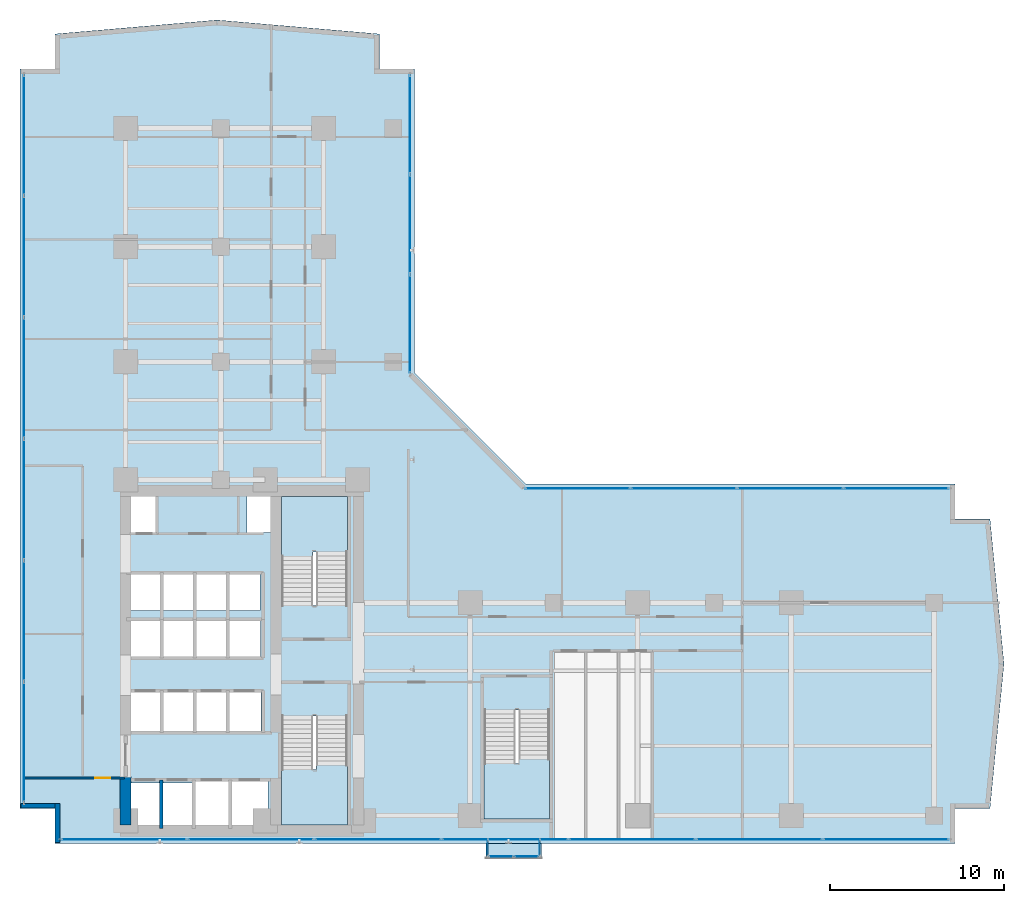
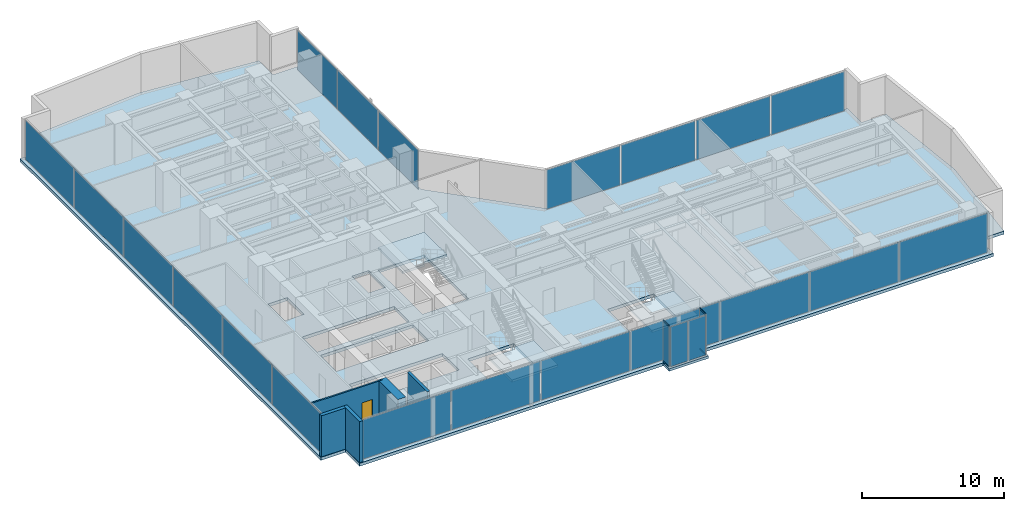
# One storey, part 18 of 24: 24 plates, 5 slabs, 5 walls, 4 members, 1 door, 1 opening, 10 elements without a shape of their own.
"""IFC4 building model written with IfcOpenShell, lengths in metres."""

from ifc_helpers import new_model, si_unit, direction, frame, frame_2d, origin, origin_with_axes, origin_2d, place, context, subcontext, project, spatial, polyline, rectangle, hollow_rectangle, outline, extrude, source, transform, mapped, material, layer, layer_set, material_profile, profile_set, type_object, element, fill, aggregate, save


model = new_model("IFC4")

# Units and contexts
model_context = context("Model", 3, precision=1e-05, world=origin(), true_north=direction((0.0, 1.0)))
body_context = subcontext(model_context, "Body", "Model", "MODEL_VIEW")
ifc_project = project(units=[si_unit("LENGTHUNIT", "METRE"), si_unit("AREAUNIT", "SQUARE_METRE"), si_unit("VOLUMEUNIT", "CUBIC_METRE"), si_unit("PLANEANGLEUNIT", "RADIAN"), si_unit("MASSUNIT", "GRAM", prefix="KILO")], contexts=[model_context])

# Site, building, storey
site_placement = place(None, origin())
site = spatial("IfcSite", under=ifc_project, at=site_placement, CompositionType="ELEMENT")
building_placement = place(site_placement, origin())
building = spatial("IfcBuilding", under=site, at=building_placement, Name="Kolvaren Waterfront Exchange", CompositionType="ELEMENT")
storey_placement = place(building_placement, frame((0.0, 0.0, 95.5)))
storey = spatial("IfcBuildingStorey", under=building, at=storey_placement, Name="L24", CompositionType="ELEMENT", Elevation=95.5)

# Curtain wall, members
ifc_material_1 = material(Name="Anodised bronze aluminium 6063-T6", Category="aluminium")
ifc_layer_1 = layer(ifc_material_1, 0.219970703125, Name="Anodised bronze aluminium 6063-T6")
ifc_layer_set_1 = layer_set([ifc_layer_1], Name="Anodised bronze aluminium 6063-T6")
curtain_wall_type_1 = type_object("IfcCurtainWallType", Name="ARC-CW-SYS3", PredefinedType="USERDEFINED", material=ifc_layer_set_1)
curtain_wall_1_placement = place(storey_placement, origin())
curtain_wall_1 = element("IfcCurtainWall", 1, at=curtain_wall_1_placement, inside=storey, type_object=curtain_wall_type_1, Name="L24 stick curtain wall CW3 (CW-L24-BOX-W)", ObjectType="STICK CURTAIN WALL", PredefinedType="USERDEFINED")
ifc_material_profile = material_profile(ifc_material_1, hollow_rectangle(XDim=0.06494140625, YDim=0.1298828125, WallThickness=0.00390625, at=origin_2d()), Name="ALU-TRN-130x65x4")
ifc_profile_set = profile_set([ifc_material_profile], Name="Anodised bronze aluminium 6063-T6")
member_type = type_object("IfcMemberType", Name="ARC-CWT-130", PredefinedType="USERDEFINED", material=ifc_profile_set)
shared_shape_1 = source(origin_with_axes(), body_context, "Body", "SweptSolid", [
    extrude(hollow_rectangle(XDim=0.06494140625, YDim=0.1298828125, WallThickness=0.00390625, at=origin_2d()), origin(), (0.0, 0.0, 1.0), 0.829833984375),
])
member_1_placement = place(storey_placement, frame((28.2099609375, 3.764892578125, 0.032470703125), z_axis=(0.0, -1.0, 0.0), x_axis=(1.0, 0.0, 0.0)))
member_1 = element("IfcMember", 2, at=member_1_placement, type_object=member_type, Name="CW3 transom 1.1", ObjectType="TRANSOM", PredefinedType="USERDEFINED", context=body_context, shape_type="MappedRepresentation", body=[
    mapped(shared_shape_1, transform((0.0, 0.0, 0.0), x_axis=(1.0, 0.0, 0.0), y_axis=(0.0, 1.0, 0.0), z_axis=(0.0, 0.0, 1.0), scale=1.0)),
])
member_2_placement = place(storey_placement, frame((28.2099609375, 3.764892578125, 3.507568359375), z_axis=(0.0, -1.0, 0.0), x_axis=(1.0, 0.0, 0.0)))
member_2 = element("IfcMember", 3, at=member_2_placement, type_object=member_type, Name="CW3 transom 1.2", ObjectType="TRANSOM", PredefinedType="USERDEFINED", context=body_context, shape_type="MappedRepresentation", body=[
    mapped(shared_shape_1, transform((0.0, 0.0, 0.0), x_axis=(1.0, 0.0, 0.0), y_axis=(0.0, 1.0, 0.0), z_axis=(0.0, 0.0, 1.0), scale=1.0)),
])

curtain_wall_2_placement = place(storey_placement, origin())
curtain_wall_2 = element("IfcCurtainWall", 4, at=curtain_wall_2_placement, inside=storey, type_object=curtain_wall_type_1, Name="L24 stick curtain wall CW3 (CW-L24-BOX-E)", ObjectType="STICK CURTAIN WALL", PredefinedType="USERDEFINED")
member_3_placement = place(storey_placement, frame((31.18994140625, 2.93505859375, 0.032470703125), z_axis=(0.0, 1.0, 0.0), x_axis=(-1.0, 0.0, 0.0)))
member_3 = element("IfcMember", 5, at=member_3_placement, type_object=member_type, Name="CW3 transom 1.1", ObjectType="TRANSOM", PredefinedType="USERDEFINED", context=body_context, shape_type="MappedRepresentation", body=[
    mapped(shared_shape_1, transform((0.0, 0.0, 0.0), x_axis=(1.0, 0.0, 0.0), y_axis=(0.0, 1.0, 0.0), z_axis=(0.0, 0.0, 1.0), scale=1.0)),
])
member_4_placement = place(storey_placement, frame((31.18994140625, 2.93505859375, 3.507568359375), z_axis=(0.0, 1.0, 0.0), x_axis=(-1.0, 0.0, 0.0)))
member_4 = element("IfcMember", 6, at=member_4_placement, type_object=member_type, Name="CW3 transom 1.2", ObjectType="TRANSOM", PredefinedType="USERDEFINED", context=body_context, shape_type="MappedRepresentation", body=[
    mapped(shared_shape_1, transform((0.0, 0.0, 0.0), x_axis=(1.0, 0.0, 0.0), y_axis=(0.0, 1.0, 0.0), z_axis=(0.0, 0.0, 1.0), scale=1.0)),
])

# Stair, slab
ifc_material_2 = material(Name="Concrete C40/50", Category="concrete")
stair_type = type_object("IfcStairType", Name="ARC-STAIR-3800", PredefinedType="HALF_TURN_STAIR", material=ifc_material_2)
stair_1_placement = place(storey_placement, origin())
stair_1 = element("IfcStair", 7, at=stair_1_placement, inside=storey, type_object=stair_type, Name="L24 Smoke-proof exit stair ST1", PredefinedType="HALF_TURN_STAIR")
ifc_layer_2 = layer(ifc_material_2, 0.199951171875, Name="Concrete C40/50")
ifc_layer_set_2 = layer_set([ifc_layer_2], Name="Concrete C40/50")
slab_type_1 = type_object("IfcSlabType", Name="STR-LANDING-200", PredefinedType="LANDING", material=ifc_layer_set_2)
slab_1_placement = place(storey_placement, frame((0.0, 0.0, 1.77587890625)))
slab_1 = element("IfcSlab", 8, at=slab_1_placement, type_object=slab_type_1, Name="ST1 landing 1", PredefinedType="LANDING", context=body_context, shape_type="SweptSolid", body=[
    extrude(outline(polyline([(16.39990234375, 7.840087890625), (16.39990234375, 4.64990234375), (20.159912109375, 4.64990234375), (20.159912109375, 8.10009765625), (18.360107421875, 8.10009765625), (18.360107421875, 7.840087890625), (16.39990234375, 7.840087890625)])), origin(), (0.0, 0.0, 1.0), 0.2001953125),
])
aggregate(stair_1, [slab_1])

stair_2_placement = place(storey_placement, origin())
stair_2 = element("IfcStair", 9, at=stair_2_placement, inside=storey, type_object=stair_type, Name="L24 Smoke-proof exit stair ST2", PredefinedType="HALF_TURN_STAIR")
slab_2_placement = place(storey_placement, frame((0.0, 0.0, 1.77587890625)))
slab_2 = element("IfcSlab", 10, at=slab_2_placement, type_object=slab_type_1, Name="ST2 landing 1", PredefinedType="LANDING", context=body_context, shape_type="SweptSolid", body=[
    extrude(outline(polyline([(20.159912109375, 20.31005859375), (20.159912109375, 23.5), (16.39990234375, 23.5), (16.39990234375, 20.050048828125), (18.199951171875, 20.050048828125), (18.199951171875, 20.31005859375), (20.159912109375, 20.31005859375)])), origin(), (0.0, 0.0, 1.0), 0.2001953125),
])
aggregate(stair_2, [slab_2])

stair_3_placement = place(storey_placement, origin())
stair_3 = element("IfcStair", 11, at=stair_3_placement, inside=storey, type_object=stair_type, Name="L24 Exit stair ST3", PredefinedType="HALF_TURN_STAIR")
slab_3_placement = place(storey_placement, frame((0.0, 0.0, 1.77587890625)))
slab_3 = element("IfcSlab", 12, at=slab_3_placement, type_object=slab_type_1, Name="ST3 landing 1", PredefinedType="LANDING", context=body_context, shape_type="SweptSolid", body=[
    extrude(outline(polyline([(28.0, 8.18994140625), (28.0, 5.0), (31.760009765625, 5.0), (31.760009765625, 8.449951171875), (29.9599609375, 8.449951171875), (29.9599609375, 8.18994140625), (28.0, 8.18994140625)])), origin(), (0.0, 0.0, 1.0), 0.2001953125),
])
aggregate(stair_3, [slab_3])

# Slabs
ifc_layer_3 = layer(ifc_material_2, 0.260009765625, Name="Concrete C40/50")
ifc_layer_set_3 = layer_set([ifc_layer_3], Name="Concrete C40/50")
slab_type_2 = type_object("IfcSlabType", Name="STR-SLAB-260", PredefinedType="FLOOR", material=ifc_layer_set_3)
slab_4_placement = place(storey_placement, frame((0.0, 0.0, -0.260009765625)))
element("IfcSlab", 13, at=slab_4_placement, inside=storey, type_object=slab_type_2, Name="L24 structural floor slab", PredefinedType="FLOOR", context=body_context, shape_type="SweptSolid", body=[
    extrude(outline(polyline([(3.39990234375, 3.60009765625), (55.0, 3.60009765625), (55.0, 5.60009765625), (57.0, 5.60009765625), (57.800048828125, 13.89990234375), (57.0, 22.199951171875), (55.0, 22.199951171875), (55.0, 24.199951171875), (30.39990234375, 24.199951171875), (24.0, 30.60009765625), (24.0, 48.0), (22.0, 48.0), (22.0, 50.0), (12.699951171875, 50.800048828125), (3.39990234375, 50.0), (3.39990234375, 48.0), (1.39990234375, 48.0), (1.39990234375, 5.60009765625), (3.39990234375, 5.60009765625), (3.39990234375, 3.60009765625)]), holes=[polyline([(11.320068359375, 7.260009765625), (15.610107421875, 7.260009765625), (15.610107421875, 4.5400390625), (7.719970703125, 4.5400390625), (7.719970703125, 7.06005859375), (11.320068359375, 7.06005859375), (11.320068359375, 7.260009765625)]), polyline([(20.159912109375, 4.64990234375), (16.39990234375, 4.64990234375), (16.39990234375, 10.89990234375), (20.159912109375, 10.89990234375), (20.159912109375, 4.64990234375)]), polyline([(31.760009765625, 5.0), (28.0, 5.0), (28.0, 11.25), (31.760009765625, 11.25), (31.760009765625, 5.0)]), polyline([(15.2099609375, 10.0400390625), (7.6201171875, 10.0400390625), (7.6201171875, 12.360107421875), (15.2099609375, 12.360107421875), (15.2099609375, 10.0400390625)]), polyline([(7.64501953125, 16.4599609375), (15.18505859375, 16.4599609375), (15.18505859375, 14.239990234375), (7.64501953125, 14.239990234375), (7.64501953125, 16.4599609375)]), polyline([(15.159912109375, 16.93994140625), (7.669921875, 16.93994140625), (7.669921875, 19.06005859375), (15.159912109375, 19.06005859375), (15.159912109375, 16.93994140625)]), polyline([(16.39990234375, 23.5), (20.159912109375, 23.5), (20.159912109375, 17.25), (16.39990234375, 17.25), (16.39990234375, 23.5)]), polyline([(7.60009765625, 23.780029296875), (9.179931640625, 23.780029296875), (9.179931640625, 21.419921875), (7.60009765625, 21.419921875), (7.60009765625, 23.780029296875)]), polyline([(15.800048828125, 23.780029296875), (15.800048828125, 21.419921875), (14.419921875, 21.419921875), (14.419921875, 23.780029296875), (15.800048828125, 23.780029296875)])]), origin(), (0.0, 0.0, 1.0), 0.260009765625),
])
ifc_layer_4 = layer(ifc_material_2, 0.219970703125, Name="Concrete C40/50")
ifc_layer_set_4 = layer_set([ifc_layer_4], Name="Concrete C40/50")
slab_type_3 = type_object("IfcSlabType", Name="STR-TERR-220", PredefinedType="FLOOR", material=ifc_layer_set_4)
slab_5_placement = place(storey_placement, frame((0.0, 0.0, -0.219970703125)))
element("IfcSlab", 14, at=slab_5_placement, inside=storey, type_object=slab_type_3, Name="L24 projecting bay-box floor strip", PredefinedType="FLOOR", context=body_context, shape_type="SweptSolid", body=[
    extrude(outline(polyline([(28.10009765625, 2.75), (31.300048828125, 2.75), (31.300048828125, 3.60009765625), (28.10009765625, 3.60009765625), (28.10009765625, 2.75)])), origin(), (0.0, 0.0, 1.0), 0.219970703125),
])

# Plate
ifc_material_3 = material(Name="Bronze tinted bay-box vision glass", Category="aluminium")
ifc_layer_5 = layer(ifc_material_3, 0.02392578125, Name="Bronze tinted bay-box vision glass")
ifc_layer_set_5 = layer_set([ifc_layer_5], Name="Bronze tinted bay-box vision glass")
plate_type_1 = type_object("IfcPlateType", Name="ARC-CWP-24", PredefinedType="CURTAIN_PANEL", material=ifc_layer_set_5)
shared_shape_2 = source(origin_with_axes(), body_context, "Body", "SweptSolid", [
    extrude(rectangle(XDim=0.830078125, YDim=0.02392578125, at=origin_2d()), origin(), (0.0, 0.0, 1.0), 3.409912109375),
])
plate_1_placement = place(storey_placement, frame((28.2099609375, 3.35009765625, 0.06494140625), z_axis=(0.0, 0.0, 1.0), x_axis=(0.0, -1.0, 0.0)))
plate_1 = element("IfcPlate", 15, at=plate_1_placement, type_object=plate_type_1, Name="CW3 panel 1.1", PredefinedType="CURTAIN_PANEL", context=body_context, shape_type="MappedRepresentation", body=[
    mapped(shared_shape_2, transform((0.0, 0.0, 0.0), x_axis=(1.0, 0.0, 0.0), y_axis=(0.0, 1.0, 0.0), z_axis=(0.0, 0.0, 1.0), scale=1.0)),
])

aggregate(curtain_wall_1, [member_1, member_2, plate_1])

plate_2_placement = place(storey_placement, frame((31.18994140625, 3.35009765625, 0.06494140625), z_axis=(0.0, 0.0, 1.0), x_axis=(0.0, 1.0, 0.0)))
plate_2 = element("IfcPlate", 16, at=plate_2_placement, type_object=plate_type_1, Name="CW3 panel 1.1", PredefinedType="CURTAIN_PANEL", context=body_context, shape_type="MappedRepresentation", body=[
    mapped(shared_shape_2, transform((0.0, 0.0, 0.0), x_axis=(1.0, 0.0, 0.0), y_axis=(0.0, 1.0, 0.0), z_axis=(0.0, 0.0, 1.0), scale=1.0)),
])

aggregate(curtain_wall_2, [member_3, member_4, plate_2])

# Curtain wall, plates
curtain_wall_3_placement = place(storey_placement, origin())
curtain_wall_3 = element("IfcCurtainWall", 17, at=curtain_wall_3_placement, inside=storey, type_object=curtain_wall_type_1, Name="L24 stick curtain wall CW3 (CW-L24-BOX)", ObjectType="STICK CURTAIN WALL", PredefinedType="USERDEFINED")
shared_shape_3 = source(origin_with_axes(), body_context, "Body", "SweptSolid", [
    extrude(rectangle(XDim=1.37744140625, YDim=0.02392578125, at=origin_2d()), origin(), (0.0, 0.0, 1.0), 3.409912109375),
])
plate_3_placement = place(storey_placement, frame((28.9736328125, 2.860107421875, 0.06494140625), z_axis=(0.0, 0.0, 1.0), x_axis=(1.0, 0.0, 0.0)))
plate_3 = element("IfcPlate", 18, at=plate_3_placement, type_object=plate_type_1, Name="CW3 panel 1.1", PredefinedType="CURTAIN_PANEL", context=body_context, shape_type="MappedRepresentation", body=[
    mapped(shared_shape_3, transform((0.0, 0.0, 0.0), x_axis=(1.0, 0.0, 0.0), y_axis=(0.0, 1.0, 0.0), z_axis=(0.0, 0.0, 1.0), scale=1.0)),
])
plate_4_placement = place(storey_placement, frame((30.42626953125, 2.860107421875, 0.06494140625), z_axis=(0.0, 0.0, 1.0), x_axis=(1.0, 0.0, 0.0)))
plate_4 = element("IfcPlate", 19, at=plate_4_placement, type_object=plate_type_1, Name="CW3 panel 2.1", PredefinedType="CURTAIN_PANEL", context=body_context, shape_type="MappedRepresentation", body=[
    mapped(shared_shape_3, transform((0.0, 0.0, 0.0), x_axis=(1.0, 0.0, 0.0), y_axis=(0.0, 1.0, 0.0), z_axis=(0.0, 0.0, 1.0), scale=1.0)),
])
aggregate(curtain_wall_3, [plate_3, plate_4])

ifc_material_4 = material(Name="Anodised aluminium 6063-T6", Category="aluminium")
ifc_layer_6 = layer(ifc_material_4, 0.219970703125, Name="Anodised aluminium 6063-T6")
ifc_layer_set_6 = layer_set([ifc_layer_6], Name="Anodised aluminium 6063-T6")
curtain_wall_type_2 = type_object("IfcCurtainWallType", Name="ARC-CW-SYS2", PredefinedType="USERDEFINED", material=ifc_layer_set_6)
curtain_wall_4_placement = place(storey_placement, origin())
curtain_wall_4 = element("IfcCurtainWall", 20, at=curtain_wall_4_placement, inside=storey, type_object=curtain_wall_type_2, Name="L24 stick curtain wall CW2 (CW-L24-W)", ObjectType="STICK CURTAIN WALL", PredefinedType="USERDEFINED")
ifc_material_5 = material(Name="Acoustic laminated vision glass", Category="glass")
ifc_layer_7 = layer(ifc_material_5, 0.031982421875, Name="Acoustic laminated vision glass")
ifc_layer_set_7 = layer_set([ifc_layer_7], Name="Acoustic laminated vision glass")
plate_type_2 = type_object("IfcPlateType", Name="ARC-CWP-32", PredefinedType="CURTAIN_PANEL", material=ifc_layer_set_7)
shared_shape_4 = source(origin_with_axes(), body_context, "Body", "SweptSolid", [
    extrude(rectangle(XDim=6.8466796875, YDim=0.031982421875, at=origin_2d()), origin(), (0.0, 0.0, 1.0), 3.389892578125),
])
plate_5_placement = place(storey_placement, frame((1.639892578125, 9.4033203125, 0.0751953125), z_axis=(0.0, 0.0, 1.0), x_axis=(0.0, 1.0, 0.0)))
plate_5 = element("IfcPlate", 21, at=plate_5_placement, type_object=plate_type_2, Name="CW2 panel 1.1", PredefinedType="CURTAIN_PANEL", context=body_context, shape_type="MappedRepresentation", body=[
    mapped(shared_shape_4, transform((0.0, 0.0, 0.0), x_axis=(1.0, 0.0, 0.0), y_axis=(0.0, 1.0, 0.0), z_axis=(0.0, 0.0, 1.0), scale=1.0)),
])
plate_6_placement = place(storey_placement, frame((1.639892578125, 44.19677734375, 0.0751953125), z_axis=(0.0, 0.0, 1.0), x_axis=(0.0, 1.0, 0.0)))
plate_6 = element("IfcPlate", 22, at=plate_6_placement, type_object=plate_type_2, Name="CW2 panel 6.1", PredefinedType="CURTAIN_PANEL", context=body_context, shape_type="MappedRepresentation", body=[
    mapped(shared_shape_4, transform((0.0, 0.0, 0.0), x_axis=(1.0, 0.0, 0.0), y_axis=(0.0, 1.0, 0.0), z_axis=(0.0, 0.0, 1.0), scale=1.0)),
])
shared_shape_5 = source(origin_with_axes(), body_context, "Body", "SweptSolid", [
    extrude(rectangle(XDim=6.88671875, YDim=0.031982421875, at=origin_2d()), origin(), (0.0, 0.0, 1.0), 3.389892578125),
])
plate_7_placement = place(storey_placement, frame((1.639892578125, 16.35009765625, 0.0751953125), z_axis=(0.0, 0.0, 1.0), x_axis=(0.0, 1.0, 0.0)))
plate_7 = element("IfcPlate", 23, at=plate_7_placement, type_object=plate_type_2, Name="CW2 panel 2.1", PredefinedType="CURTAIN_PANEL", context=body_context, shape_type="MappedRepresentation", body=[
    mapped(shared_shape_5, transform((0.0, 0.0, 0.0), x_axis=(1.0, 0.0, 0.0), y_axis=(0.0, 1.0, 0.0), z_axis=(0.0, 0.0, 1.0), scale=1.0)),
])
plate_8_placement = place(storey_placement, frame((1.639892578125, 23.316650390625, 0.0751953125), z_axis=(0.0, 0.0, 1.0), x_axis=(0.0, 1.0, 0.0)))
plate_8 = element("IfcPlate", 24, at=plate_8_placement, type_object=plate_type_2, Name="CW2 panel 3.1", PredefinedType="CURTAIN_PANEL", context=body_context, shape_type="MappedRepresentation", body=[
    mapped(shared_shape_5, transform((0.0, 0.0, 0.0), x_axis=(1.0, 0.0, 0.0), y_axis=(0.0, 1.0, 0.0), z_axis=(0.0, 0.0, 1.0), scale=1.0)),
])
plate_9_placement = place(storey_placement, frame((1.639892578125, 30.283447265625, 0.0751953125), z_axis=(0.0, 0.0, 1.0), x_axis=(0.0, 1.0, 0.0)))
plate_9 = element("IfcPlate", 25, at=plate_9_placement, type_object=plate_type_2, Name="CW2 panel 4.1", PredefinedType="CURTAIN_PANEL", context=body_context, shape_type="MappedRepresentation", body=[
    mapped(shared_shape_5, transform((0.0, 0.0, 0.0), x_axis=(1.0, 0.0, 0.0), y_axis=(0.0, 1.0, 0.0), z_axis=(0.0, 0.0, 1.0), scale=1.0)),
])
plate_10_placement = place(storey_placement, frame((1.639892578125, 37.25, 0.0751953125), z_axis=(0.0, 0.0, 1.0), x_axis=(0.0, 1.0, 0.0)))
plate_10 = element("IfcPlate", 26, at=plate_10_placement, type_object=plate_type_2, Name="CW2 panel 5.1", PredefinedType="CURTAIN_PANEL", context=body_context, shape_type="MappedRepresentation", body=[
    mapped(shared_shape_5, transform((0.0, 0.0, 0.0), x_axis=(1.0, 0.0, 0.0), y_axis=(0.0, 1.0, 0.0), z_axis=(0.0, 0.0, 1.0), scale=1.0)),
])
aggregate(curtain_wall_4, [plate_5, plate_7, plate_8, plate_9, plate_10, plate_6])

ifc_layer_8 = layer(ifc_material_1, 0.219970703125, Name="Anodised bronze aluminium 6063-T6")
ifc_layer_set_8 = layer_set([ifc_layer_8], Name="Anodised bronze aluminium 6063-T6")
curtain_wall_type_3 = type_object("IfcCurtainWallType", Name="ARC-CW-SYS1", PredefinedType="USERDEFINED", material=ifc_layer_set_8)
curtain_wall_5_placement = place(storey_placement, origin())
curtain_wall_5 = element("IfcCurtainWall", 27, at=curtain_wall_5_placement, inside=storey, type_object=curtain_wall_type_3, Name="L24 stick curtain wall CW1 (CW-L24-NE)", ObjectType="STICK CURTAIN WALL", PredefinedType="USERDEFINED")
ifc_material_6 = material(Name="Bronze solar control vision glass", Category="aluminium")
ifc_layer_9 = layer(ifc_material_6, 0.028076171875, Name="Bronze solar control vision glass")
ifc_layer_set_9 = layer_set([ifc_layer_9], Name="Bronze solar control vision glass")
plate_type_3 = type_object("IfcPlateType", Name="ARC-CWP-28", PredefinedType="CURTAIN_PANEL", material=ifc_layer_set_9)
shared_shape_6 = source(origin_with_axes(), body_context, "Body", "SweptSolid", [
    extrude(rectangle(XDim=5.61669921875, YDim=0.028076171875, at=origin_2d()), origin(), (0.0, 0.0, 1.0), 3.389892578125),
])
plate_11_placement = place(storey_placement, frame((23.760009765625, 33.37841796875, 0.0751953125), z_axis=(0.0, 0.0, 1.0), x_axis=(0.0, 1.0, 0.0)))
plate_11 = element("IfcPlate", 28, at=plate_11_placement, type_object=plate_type_3, Name="CW1 panel 1.1", PredefinedType="CURTAIN_PANEL", context=body_context, shape_type="MappedRepresentation", body=[
    mapped(shared_shape_6, transform((0.0, 0.0, 0.0), x_axis=(1.0, 0.0, 0.0), y_axis=(0.0, 1.0, 0.0), z_axis=(0.0, 0.0, 1.0), scale=1.0)),
])
plate_12_placement = place(storey_placement, frame((23.760009765625, 44.811767578125, 0.0751953125), z_axis=(0.0, 0.0, 1.0), x_axis=(0.0, 1.0, 0.0)))
plate_12 = element("IfcPlate", 29, at=plate_12_placement, type_object=plate_type_3, Name="CW1 panel 3.1", PredefinedType="CURTAIN_PANEL", context=body_context, shape_type="MappedRepresentation", body=[
    mapped(shared_shape_6, transform((0.0, 0.0, 0.0), x_axis=(1.0, 0.0, 0.0), y_axis=(0.0, 1.0, 0.0), z_axis=(0.0, 0.0, 1.0), scale=1.0)),
])
shared_shape_7 = source(origin_with_axes(), body_context, "Body", "SweptSolid", [
    extrude(rectangle(XDim=5.65673828125, YDim=0.028076171875, at=origin_2d()), origin(), (0.0, 0.0, 1.0), 3.389892578125),
])
plate_13_placement = place(storey_placement, frame((23.760009765625, 39.094970703125, 0.0751953125), z_axis=(0.0, 0.0, 1.0), x_axis=(0.0, 1.0, 0.0)))
plate_13 = element("IfcPlate", 30, at=plate_13_placement, type_object=plate_type_3, Name="CW1 panel 2.1", PredefinedType="CURTAIN_PANEL", context=body_context, shape_type="MappedRepresentation", body=[
    mapped(shared_shape_7, transform((0.0, 0.0, 0.0), x_axis=(1.0, 0.0, 0.0), y_axis=(0.0, 1.0, 0.0), z_axis=(0.0, 0.0, 1.0), scale=1.0)),
])
aggregate(curtain_wall_5, [plate_11, plate_13, plate_12])

curtain_wall_6_placement = place(storey_placement, origin())
curtain_wall_6 = element("IfcCurtainWall", 31, at=curtain_wall_6_placement, inside=storey, type_object=curtain_wall_type_3, Name="L24 stick curtain wall CW1 (CW-L24-EN)", ObjectType="STICK CURTAIN WALL", PredefinedType="USERDEFINED")
shared_shape_8 = source(origin_with_axes(), body_context, "Body", "SweptSolid", [
    extrude(rectangle(XDim=5.982421875, YDim=0.028076171875, at=origin_2d()), origin(), (0.0, 0.0, 1.0), 3.389892578125),
])
plate_14_placement = place(storey_placement, frame((33.361328125, 23.9599609375, 0.0751953125), z_axis=(0.0, 0.0, 1.0), x_axis=(1.0, 0.0, 0.0)))
plate_14 = element("IfcPlate", 32, at=plate_14_placement, type_object=plate_type_3, Name="CW1 panel 1.1", PredefinedType="CURTAIN_PANEL", context=body_context, shape_type="MappedRepresentation", body=[
    mapped(shared_shape_8, transform((0.0, 0.0, 0.0), x_axis=(1.0, 0.0, 0.0), y_axis=(0.0, 1.0, 0.0), z_axis=(0.0, 0.0, 1.0), scale=1.0)),
])
plate_15_placement = place(storey_placement, frame((51.628662109375, 23.9599609375, 0.0751953125), z_axis=(0.0, 0.0, 1.0), x_axis=(1.0, 0.0, 0.0)))
plate_15 = element("IfcPlate", 33, at=plate_15_placement, type_object=plate_type_3, Name="CW1 panel 4.1", PredefinedType="CURTAIN_PANEL", context=body_context, shape_type="MappedRepresentation", body=[
    mapped(shared_shape_8, transform((0.0, 0.0, 0.0), x_axis=(1.0, 0.0, 0.0), y_axis=(0.0, 1.0, 0.0), z_axis=(0.0, 0.0, 1.0), scale=1.0)),
])
shared_shape_9 = source(origin_with_axes(), body_context, "Body", "SweptSolid", [
    extrude(rectangle(XDim=6.0224609375, YDim=0.028076171875, at=origin_2d()), origin(), (0.0, 0.0, 1.0), 3.389892578125),
])
plate_16_placement = place(storey_placement, frame((39.44384765625, 23.9599609375, 0.0751953125), z_axis=(0.0, 0.0, 1.0), x_axis=(1.0, 0.0, 0.0)))
plate_16 = element("IfcPlate", 34, at=plate_16_placement, type_object=plate_type_3, Name="CW1 panel 2.1", PredefinedType="CURTAIN_PANEL", context=body_context, shape_type="MappedRepresentation", body=[
    mapped(shared_shape_9, transform((0.0, 0.0, 0.0), x_axis=(1.0, 0.0, 0.0), y_axis=(0.0, 1.0, 0.0), z_axis=(0.0, 0.0, 1.0), scale=1.0)),
])
plate_17_placement = place(storey_placement, frame((45.546142578125, 23.9599609375, 0.0751953125), z_axis=(0.0, 0.0, 1.0), x_axis=(1.0, 0.0, 0.0)))
plate_17 = element("IfcPlate", 35, at=plate_17_placement, type_object=plate_type_3, Name="CW1 panel 3.1", PredefinedType="CURTAIN_PANEL", context=body_context, shape_type="MappedRepresentation", body=[
    mapped(shared_shape_9, transform((0.0, 0.0, 0.0), x_axis=(1.0, 0.0, 0.0), y_axis=(0.0, 1.0, 0.0), z_axis=(0.0, 0.0, 1.0), scale=1.0)),
])
aggregate(curtain_wall_6, [plate_14, plate_16, plate_17, plate_15])

curtain_wall_7_placement = place(storey_placement, origin())
curtain_wall_7 = element("IfcCurtainWall", 36, at=curtain_wall_7_placement, inside=storey, type_object=curtain_wall_type_3, Name="L24 stick curtain wall CW1 (CW-L24-S)", ObjectType="STICK CURTAIN WALL", PredefinedType="USERDEFINED")
shared_shape_10 = source(origin_with_axes(), body_context, "Body", "SweptSolid", [
    extrude(rectangle(XDim=7.165771484375, YDim=0.028076171875, at=origin_2d()), origin(), (0.0, 0.0, 1.0), 3.389892578125),
])
plate_18_placement = place(storey_placement, frame((7.36279296875, 3.840087890625, 0.0751953125), z_axis=(0.0, 0.0, 1.0), x_axis=(1.0, 0.0, 0.0)))
plate_18 = element("IfcPlate", 37, at=plate_18_placement, type_object=plate_type_3, Name="CW1 panel 1.1", PredefinedType="CURTAIN_PANEL", context=body_context, shape_type="MappedRepresentation", body=[
    mapped(shared_shape_10, transform((0.0, 0.0, 0.0), x_axis=(1.0, 0.0, 0.0), y_axis=(0.0, 1.0, 0.0), z_axis=(0.0, 0.0, 1.0), scale=1.0)),
])
plate_19_placement = place(storey_placement, frame((51.037109375, 3.840087890625, 0.0751953125), z_axis=(0.0, 0.0, 1.0), x_axis=(1.0, 0.0, 0.0)))
plate_19 = element("IfcPlate", 38, at=plate_19_placement, type_object=plate_type_3, Name="CW1 panel 7.1", PredefinedType="CURTAIN_PANEL", context=body_context, shape_type="MappedRepresentation", body=[
    mapped(shared_shape_10, transform((0.0, 0.0, 0.0), x_axis=(1.0, 0.0, 0.0), y_axis=(0.0, 1.0, 0.0), z_axis=(0.0, 0.0, 1.0), scale=1.0)),
])
shared_shape_11 = source(origin_with_axes(), body_context, "Body", "SweptSolid", [
    extrude(rectangle(XDim=7.205810546875, YDim=0.028076171875, at=origin_2d()), origin(), (0.0, 0.0, 1.0), 3.389892578125),
])
plate_20_placement = place(storey_placement, frame((14.628662109375, 3.840087890625, 0.0751953125), z_axis=(0.0, 0.0, 1.0), x_axis=(1.0, 0.0, 0.0)))
plate_20 = element("IfcPlate", 39, at=plate_20_placement, type_object=plate_type_3, Name="CW1 panel 2.1", PredefinedType="CURTAIN_PANEL", context=body_context, shape_type="MappedRepresentation", body=[
    mapped(shared_shape_11, transform((0.0, 0.0, 0.0), x_axis=(1.0, 0.0, 0.0), y_axis=(0.0, 1.0, 0.0), z_axis=(0.0, 0.0, 1.0), scale=1.0)),
])
plate_21_placement = place(storey_placement, frame((21.914306640625, 3.840087890625, 0.0751953125), z_axis=(0.0, 0.0, 1.0), x_axis=(1.0, 0.0, 0.0)))
plate_21 = element("IfcPlate", 40, at=plate_21_placement, type_object=plate_type_3, Name="CW1 panel 3.1", PredefinedType="CURTAIN_PANEL", context=body_context, shape_type="MappedRepresentation", body=[
    mapped(shared_shape_11, transform((0.0, 0.0, 0.0), x_axis=(1.0, 0.0, 0.0), y_axis=(0.0, 1.0, 0.0), z_axis=(0.0, 0.0, 1.0), scale=1.0)),
])
plate_22_placement = place(storey_placement, frame((29.199951171875, 3.840087890625, 0.0751953125), z_axis=(0.0, 0.0, 1.0), x_axis=(1.0, 0.0, 0.0)))
plate_22 = element("IfcPlate", 41, at=plate_22_placement, type_object=plate_type_3, Name="CW1 panel 4.1", PredefinedType="CURTAIN_PANEL", context=body_context, shape_type="MappedRepresentation", body=[
    mapped(shared_shape_11, transform((0.0, 0.0, 0.0), x_axis=(1.0, 0.0, 0.0), y_axis=(0.0, 1.0, 0.0), z_axis=(0.0, 0.0, 1.0), scale=1.0)),
])
plate_23_placement = place(storey_placement, frame((36.485595703125, 3.840087890625, 0.0751953125), z_axis=(0.0, 0.0, 1.0), x_axis=(1.0, 0.0, 0.0)))
plate_23 = element("IfcPlate", 42, at=plate_23_placement, type_object=plate_type_3, Name="CW1 panel 5.1", PredefinedType="CURTAIN_PANEL", context=body_context, shape_type="MappedRepresentation", body=[
    mapped(shared_shape_11, transform((0.0, 0.0, 0.0), x_axis=(1.0, 0.0, 0.0), y_axis=(0.0, 1.0, 0.0), z_axis=(0.0, 0.0, 1.0), scale=1.0)),
])
plate_24_placement = place(storey_placement, frame((43.771484375, 3.840087890625, 0.0751953125), z_axis=(0.0, 0.0, 1.0), x_axis=(1.0, 0.0, 0.0)))
plate_24 = element("IfcPlate", 43, at=plate_24_placement, type_object=plate_type_3, Name="CW1 panel 6.1", PredefinedType="CURTAIN_PANEL", context=body_context, shape_type="MappedRepresentation", body=[
    mapped(shared_shape_11, transform((0.0, 0.0, 0.0), x_axis=(1.0, 0.0, 0.0), y_axis=(0.0, 1.0, 0.0), z_axis=(0.0, 0.0, 1.0), scale=1.0)),
])
aggregate(curtain_wall_7, [plate_18, plate_20, plate_21, plate_22, plate_23, plate_24, plate_19])

# Walls
ifc_material_7 = material(Name="Precast concrete C40/50", Category="concrete")
ifc_layer_10 = layer(ifc_material_7, 0.280029296875, Name="Precast concrete C40/50")
ifc_layer_set_10 = layer_set([ifc_layer_10], Name="Precast concrete C40/50")
wall_type_1 = type_object("IfcWallType", Name="ARC-EXT-TERR-280", PredefinedType="SOLIDWALL", material=ifc_layer_set_10)
wall_1_placement = place(storey_placement, frame((3.56005859375, 3.659912109375, 0.0), z_axis=(0.0, 0.0, 1.0), x_axis=(0.0, 1.0, 0.0)))
element("IfcWall", 44, at=wall_1_placement, inside=storey, type_object=wall_type_1, Name="L24 notched corner spandrel pier SW-A", PredefinedType="SOLIDWALL", context=body_context, shape_type="SweptSolid", body=[
    extrude(rectangle(XDim=2.239990234375, YDim=0.280029296875, at=frame_2d((1.1201171875, 0.0))), origin(), (0.0, 0.0, 1.0), 3.5400390625),
])
wall_2_placement = place(storey_placement, frame((1.4599609375, 5.760009765625, 0.0), z_axis=(0.0, 0.0, 1.0), x_axis=(1.0, 0.0, 0.0)))
element("IfcWall", 45, at=wall_2_placement, inside=storey, type_object=wall_type_1, Name="L24 notched corner spandrel pier SW-B", PredefinedType="SOLIDWALL", context=body_context, shape_type="SweptSolid", body=[
    extrude(rectangle(XDim=1.9599609375, YDim=0.280029296875, at=frame_2d((0.97998046875, 0.0))), origin(), (0.0, 0.0, 1.0), 3.5400390625),
])

# Wall, opening, door
ifc_material_8 = material(Name="Acoustic gypsum steel stud", Category="steel")
ifc_layer_11 = layer(ifc_material_8, 0.125, Name="Acoustic gypsum steel stud")
ifc_layer_set_11 = layer_set([ifc_layer_11], Name="Acoustic gypsum steel stud")
wall_type_2 = type_object("IfcWallType", Name="ARC-PART-125", PredefinedType="PARTITIONING", material=ifc_layer_set_11)
wall_3_placement = place(storey_placement, frame((1.639892578125, 7.35009765625, 0.0), z_axis=(0.0, 0.0, 1.0), x_axis=(1.0, 0.0, 0.0)))
wall_3 = element("IfcWall", 46, at=wall_3_placement, inside=storey, type_object=wall_type_2, Name="L24 interior wall PW-L24-SWC-N", PredefinedType="PARTITIONING", context=body_context, shape_type="SweptSolid", body=[
    extrude(rectangle(XDim=5.760009765625, YDim=0.125, at=frame_2d((2.8798828125, 0.0))), origin(), (0.0, 0.0, 1.0), 3.5400390625),
])
opening_placement = place(wall_3_placement, frame((4.086669921875, 0.0, 0.0)))
opening = element("IfcOpeningElement", 47, at=opening_placement, cuts=wall_3, Name="Opening D01", PredefinedType="OPENING", context=body_context, shape_type="SweptSolid", body=[
    extrude(rectangle(XDim=0.85009765625, YDim=2.14990234375, at=frame_2d((0.425048828125, 1.074951171875))), frame((0.0, 0.072509765625, 0.0), z_axis=(0.0, -1.0, 0.0), x_axis=(1.0, 0.0, 0.0)), (0.0, 0.0, 1.0), 0.14501953125),
])
ifc_material_9 = material(Name="Oak veneer timber leaf", Category="wood")
door_type = type_object("IfcDoorType", Name="ARC-DR-900", OperationType="NOTDEFINED", PredefinedType="DOOR", material=ifc_material_9)
door_placement = place(opening_placement, origin())
door = element("IfcDoor", 48, at=door_placement, inside=storey, type_object=door_type, Name="L24 door DR-L24-SWC-D (D01)", OperationType="SINGLE_SWING_LEFT", OverallHeight=2.14990234375, OverallWidth=0.85009765625, PredefinedType="DOOR", context=body_context, shape_type="SweptSolid", body=[
    extrude(rectangle(XDim=0.85009765625, YDim=2.14990234375, at=frame_2d((0.425048828125, 1.074951171875))), frame((0.0, 0.02490234375, 0.0), z_axis=(0.0, -1.0, 0.0), x_axis=(1.0, 0.0, 0.0)), (0.0, 0.0, 1.0), 0.050048828125),
])
fill(opening, door)

# Walls
ifc_layer_12 = layer(ifc_material_2, 0.199951171875, Name="Concrete C40/50")
ifc_layer_set_12 = layer_set([ifc_layer_12], Name="Concrete C40/50")
wall_type_3 = type_object("IfcWallType", Name="ARC-SHAFT-200", PredefinedType="PARTITIONING", material=ifc_layer_set_12)
wall_4_placement = place(storey_placement, frame((9.5, 4.449951171875, 0.0), z_axis=(0.0, 0.0, 1.0), x_axis=(0.0, 1.0, 0.0)))
element("IfcWall", 49, at=wall_4_placement, inside=storey, type_object=wall_type_3, Name="L24 interior wall PW-L24-SH1-DIV-95", PredefinedType="PARTITIONING", context=body_context, shape_type="SweptSolid", body=[
    extrude(rectangle(XDim=2.800048828125, YDim=0.199951171875, at=frame_2d((1.39990234375, 0.0))), origin(), (0.0, 0.0, 1.0), 3.5400390625),
])
ifc_material_10 = material(Name="Concrete C60/75", Category="concrete")
ifc_layer_13 = layer(ifc_material_10, 0.64990234375, Name="Concrete C60/75")
ifc_layer_set_13 = layer_set([ifc_layer_13], Name="Concrete C60/75")
wall_type_4 = type_object("IfcWallType", Name="STR-CWALL-650", PredefinedType="SHEAR", material=ifc_layer_set_13)
wall_5_placement = place(storey_placement, frame((7.449951171875, 4.64990234375, 0.0), z_axis=(0.0, 0.0, 1.0), x_axis=(0.0, 1.0, 0.0)))
element("IfcWall", 50, at=wall_5_placement, inside=storey, type_object=wall_type_4, Name="L24 rear-core shear wall W1", PredefinedType="SHEAR", context=body_context, shape_type="SweptSolid", body=[
    extrude(rectangle(XDim=2.800048828125, YDim=0.64990234375, at=frame_2d((1.39990234375, 0.0))), origin(), (0.0, 0.0, 1.0), 3.5400390625),
])

save(model, "model.ifc")
